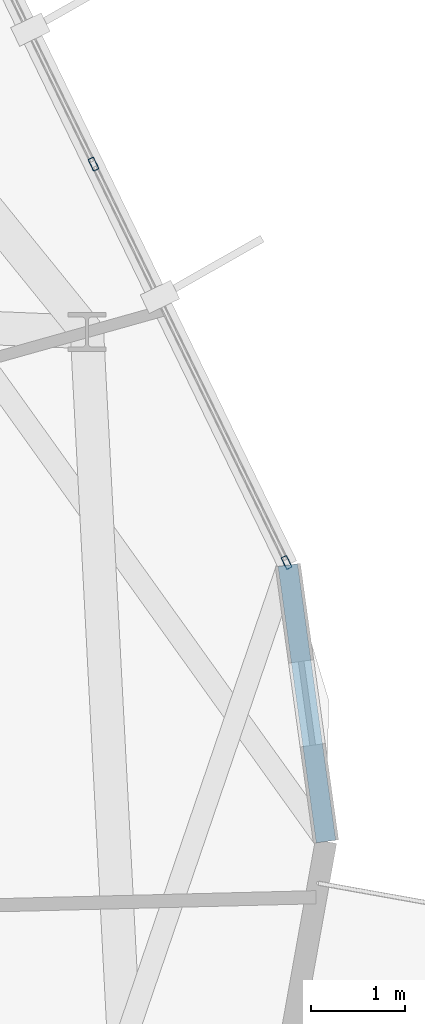
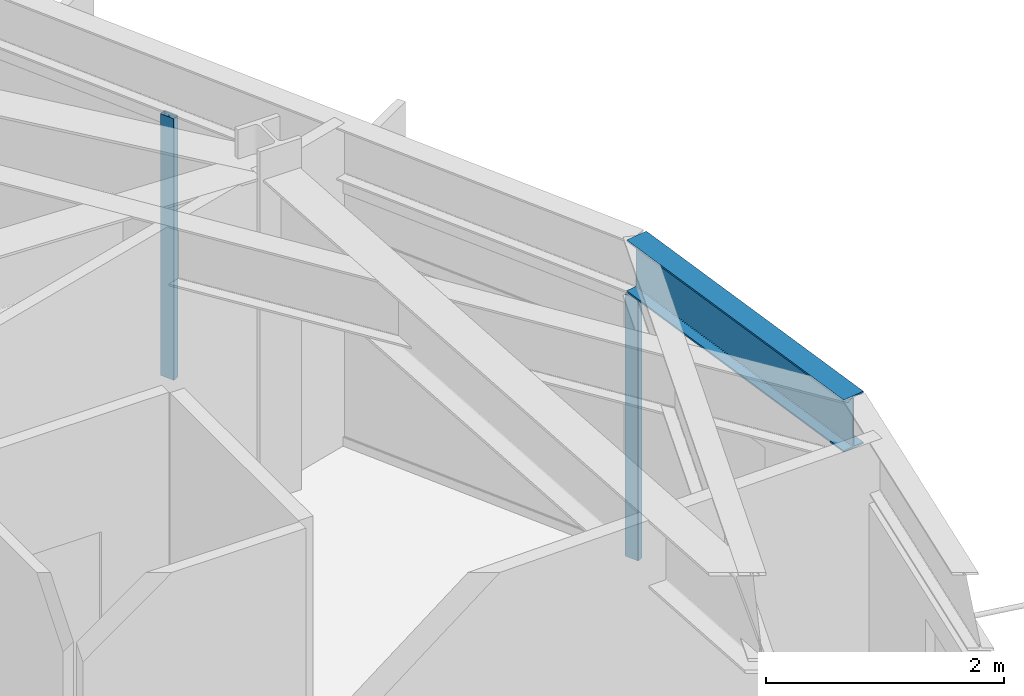
# One storey, part 12 of 26: 2 members, 1 beam, 1 element without a shape of its own.
"""IFC4 building model written with IfcOpenShell, lengths in metres."""

from ifc_helpers import new_model, si_unit, direction, frame, origin, origin_2d, place, context, subcontext, project, spatial, hollow_rectangle, i_section, extrude, material, layer, layer_set, material_profile, profile_set, type_object, element, aggregate, save


model = new_model("IFC4")

# Units and contexts
model_context = context("Model", 3, precision=1e-05, world=origin(), true_north=direction((0.0, 1.0)))
body_context = subcontext(model_context, "Body", "Model", "MODEL_VIEW")
ifc_project = project(units=[si_unit("LENGTHUNIT", "METRE"), si_unit("AREAUNIT", "SQUARE_METRE"), si_unit("VOLUMEUNIT", "CUBIC_METRE"), si_unit("PLANEANGLEUNIT", "RADIAN"), si_unit("MASSUNIT", "GRAM", prefix="KILO")], contexts=[model_context])

# Site, building, storey
site_placement = place(None, origin())
site = spatial("IfcSite", under=ifc_project, at=site_placement, CompositionType="ELEMENT")
building_placement = place(site_placement, origin())
building = spatial("IfcBuilding", under=site, at=building_placement, Name="Soratama Intermodal Tower", CompositionType="ELEMENT")
storey_placement = place(building_placement, frame((0.0, 0.0, 194.199951171875)))
storey = spatial("IfcBuildingStorey", under=building, at=storey_placement, Name="L48", CompositionType="ELEMENT", Elevation=194.199951171875)

# Beam
ifc_material_1 = material(Name="Structural steel ASTM A992 Grade 50", Category="steel")
ifc_material_profile_1 = material_profile(ifc_material_1, i_section(OverallWidth=0.2099609375, OverallDepth=0.537109375, WebThickness=0.010986328125, FlangeThickness=0.017333984375, FilletRadius=0.012939453125, at=origin_2d()), Name="W21X68")
ifc_profile_set_1 = profile_set([ifc_material_profile_1], Name="Structural steel ASTM A992 Grade 50")
beam_type = type_object("IfcBeamType", Name="BM-SPN-W21X68", PredefinedType="SPANDREL", material=ifc_profile_set_1)
beam_placement = place(storey_placement, frame((64.906005859375, 26.2509765625, 3.031494140625), z_axis=(-0.136890870976, 0.990586134288, 0.0), x_axis=(-0.990586134288, -0.136890870976, 0.0)))
element("IfcBeam", 1, at=beam_placement, inside=storey, type_object=beam_type, Name="BS-L48-CRN09", PredefinedType="SPANDREL", context=body_context, shape_type="SweptSolid", body=[
    extrude(i_section(OverallWidth=0.2099609375, OverallDepth=0.537109375, WebThickness=0.010986328125, FlangeThickness=0.017333984375, FilletRadius=0.012939453125, at=origin_2d()), origin(), (0.0, 0.0, 1.0), 2.9658203125),
])

# Curtain wall, members
ifc_material_2 = material(Name="Double-glazed aluminium curtain wall", Category="aluminium")
ifc_layer = layer(ifc_material_2, 0.159912109375)
ifc_layer_set = layer_set([ifc_layer], Name="Double-glazed aluminium curtain wall")
curtain_wall_type = type_object("IfcCurtainWallType", Name="CW-SYS-5", PredefinedType="NOTDEFINED", material=ifc_layer_set)
curtain_wall_placement = place(storey_placement, origin())
curtain_wall = element("IfcCurtainWall", 2, at=curtain_wall_placement, inside=storey, type_object=curtain_wall_type, Name="L48 Faceted Curtain Wall F10", PredefinedType="NOTDEFINED")
ifc_material_3 = material(Name="Anodised aluminium AA 6063-T6", Category="aluminium")
ifc_material_profile_2 = material_profile(ifc_material_3, hollow_rectangle(XDim=0.06494140625, YDim=0.139892578125, WallThickness=0.0048828125, InnerFilletRadius=0.0048828125, OuterFilletRadius=0.010009765625, at=origin_2d()), Name="CWM140X65X5")
ifc_profile_set_2 = profile_set([ifc_material_profile_2], Name="Anodised aluminium AA 6063-T6")
member_type = type_object("IfcMemberType", Name="MT-CWM-5", PredefinedType="MULLION", material=ifc_profile_set_2)
member_1_placement = place(storey_placement, frame((64.48681640625, 29.21630859375, 0.0), z_axis=(0.0, 0.0, 1.0), x_axis=(-0.899866601949, -0.436165219496, 0.0)))
member_1 = element("IfcMember", 3, at=member_1_placement, type_object=member_type, Name="CW-5 mullion 1", PredefinedType="MULLION", context=body_context, shape_type="SweptSolid", body=[
    extrude(hollow_rectangle(XDim=0.06494140625, YDim=0.139892578125, WallThickness=0.0048828125, InnerFilletRadius=0.0048828125, OuterFilletRadius=0.010009765625, at=origin_2d()), origin(), (0.0, 0.0, 1.0), 2.678955078125),
])
member_2_placement = place(storey_placement, frame((62.4345703125, 33.45068359375, 0.0), z_axis=(0.0, 0.0, 1.0), x_axis=(-0.899866601949, -0.436165219496, 0.0)))
member_2 = element("IfcMember", 4, at=member_2_placement, type_object=member_type, Name="CW-5 mullion 2", PredefinedType="MULLION", context=body_context, shape_type="SweptSolid", body=[
    extrude(hollow_rectangle(XDim=0.06494140625, YDim=0.139892578125, WallThickness=0.0048828125, InnerFilletRadius=0.0048828125, OuterFilletRadius=0.010009765625, at=origin_2d()), origin(), (0.0, 0.0, 1.0), 2.678955078125),
])
aggregate(curtain_wall, [member_1, member_2])

save(model, "model.ifc")
